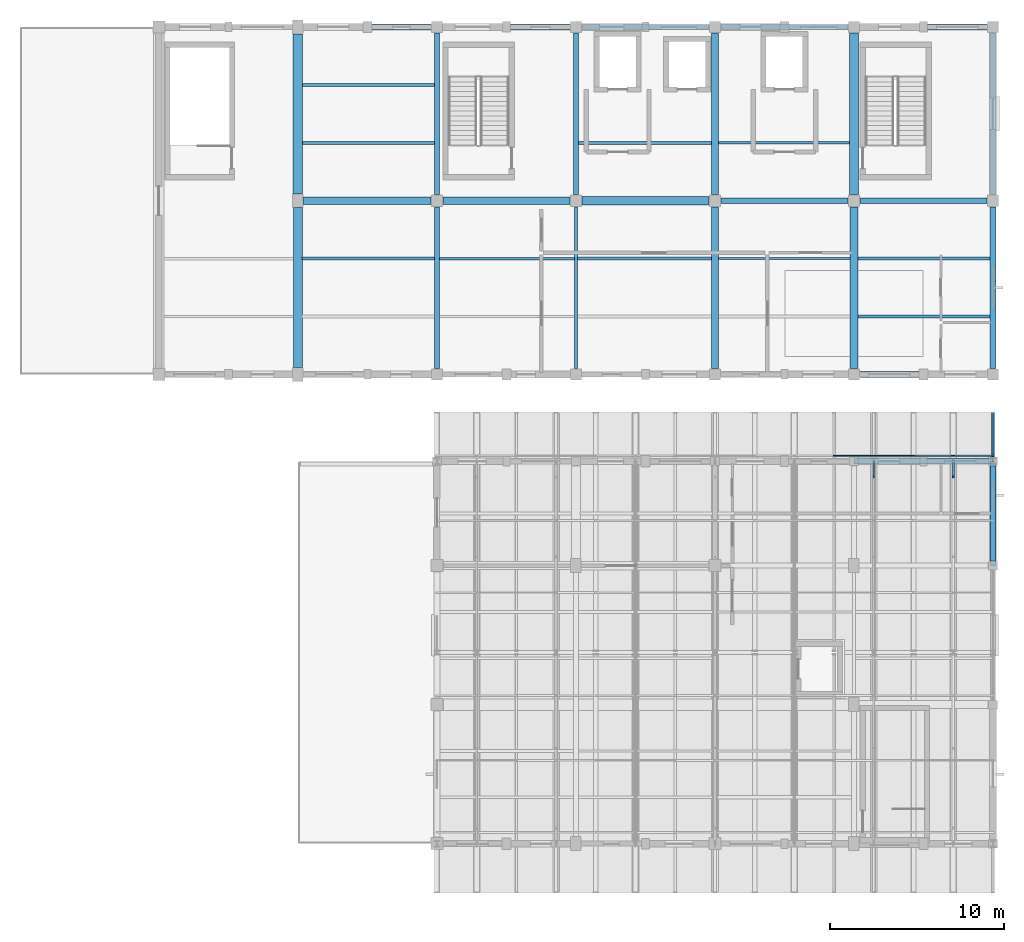
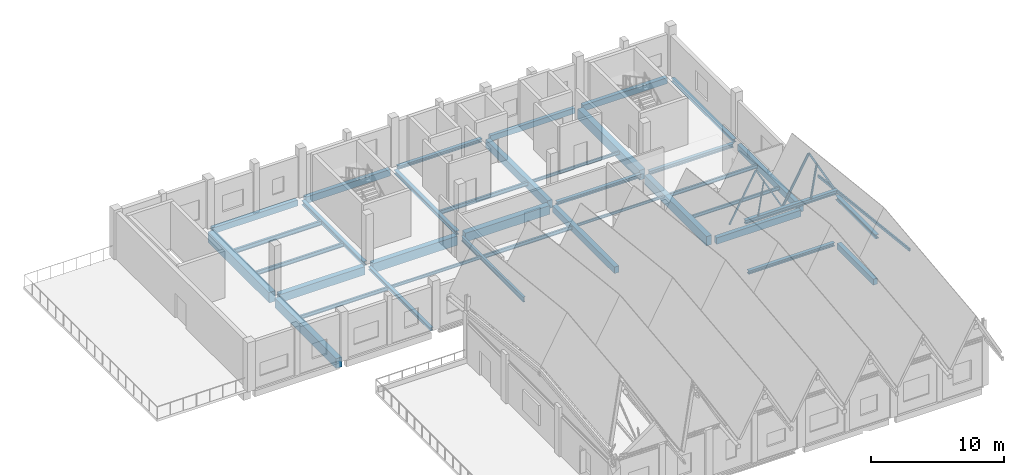
# One storey, part 22 of 48: 38 beams, 6 members.
"""IFC4 building model written with IfcOpenShell, lengths in metres."""

from ifc_helpers import new_model, si_unit, direction, frame, origin, origin_2d, place, context, subcontext, project, spatial, rectangle, hollow_rectangle, i_section, extrude, material, material_profile, profile_set, type_object, element, save


model = new_model("IFC4")

# Units and contexts
model_context = context("Model", 3, precision=1e-05, world=origin(), true_north=direction((0.0, 1.0)))
body_context = subcontext(model_context, "Body", "Model", "MODEL_VIEW")
ifc_project = project(units=[si_unit("LENGTHUNIT", "METRE"), si_unit("AREAUNIT", "SQUARE_METRE"), si_unit("VOLUMEUNIT", "CUBIC_METRE"), si_unit("PLANEANGLEUNIT", "RADIAN"), si_unit("MASSUNIT", "GRAM", prefix="KILO")], contexts=[model_context])

# Site, building, storey
site_placement = place(None, origin())
site = spatial("IfcSite", under=ifc_project, at=site_placement, CompositionType="ELEMENT")
building_placement = place(site_placement, origin())
building = spatial("IfcBuilding", under=site, at=building_placement, Name="Luwemba Playhouse", CompositionType="ELEMENT")
storey_placement = place(building_placement, frame((0.0, 0.0, 13.800048828125)))
storey = spatial("IfcBuildingStorey", under=building, at=storey_placement, Name="L03", CompositionType="ELEMENT", Elevation=13.800048828125)

# Beams
ifc_material_1 = material(Name="Concrete C40/50", Category="concrete")
ifc_material_profile_1 = material_profile(ifc_material_1, rectangle(XDim=0.39990234375, YDim=0.60009765625, at=origin_2d()))
ifc_profile_set_1 = profile_set([ifc_material_profile_1], Name="Concrete C40/50")
beam_type_1 = type_object("IfcBeamType", Name="BM-RB01", PredefinedType="BEAM", material=ifc_profile_set_1)
beam_1_placement = place(storey_placement, frame((156.0, 95.35009765625, -0.530029296875), z_axis=(0.0, 1.0, 0.0), x_axis=(-1.0, 0.0, 0.0)))
element("IfcBeam", 1, at=beam_1_placement, inside=storey, type_object=beam_type_1, Name="L03 transverse girder 0909", PredefinedType="BEAM", context=body_context, shape_type="SweptSolid", body=[
    extrude(rectangle(XDim=0.39990234375, YDim=0.60009765625, at=origin_2d()), origin(), (0.0, 0.0, 1.0), 9.2998046875),
])
ifc_material_profile_2 = material_profile(ifc_material_1, rectangle(XDim=0.39990234375, YDim=0.75, at=origin_2d()))
ifc_profile_set_2 = profile_set([ifc_material_profile_2], Name="Concrete C40/50")
beam_type_2 = type_object("IfcBeamType", Name="BM-RB03", PredefinedType="BEAM", material=ifc_profile_set_2)
beam_2_placement = place(storey_placement, frame((156.0, 105.35009765625, -0.60498046875), z_axis=(0.0, 1.0, 0.0), x_axis=(-1.0, 0.0, 0.0)))
element("IfcBeam", 2, at=beam_2_placement, inside=storey, type_object=beam_type_2, Name="L03 transverse girder 0910", PredefinedType="BEAM", context=body_context, shape_type="SweptSolid", body=[
    extrude(rectangle(XDim=0.39990234375, YDim=0.75, at=origin_2d()), origin(), (0.0, 0.0, 1.0), 9.2998046875),
])
ifc_material_profile_3 = material_profile(ifc_material_1, rectangle(XDim=0.449951171875, YDim=0.75, at=origin_2d()))
ifc_profile_set_3 = profile_set([ifc_material_profile_3], Name="Concrete C40/50")
beam_type_3 = type_object("IfcBeamType", Name="BM-RB04", PredefinedType="BEAM", material=ifc_profile_set_3)
beam_3_placement = place(storey_placement, frame((132.300048828125, 105.0, -0.60498046875), z_axis=(1.0, 0.0, 0.0), x_axis=(0.0, 1.0, 0.0)))
element("IfcBeam", 3, at=beam_3_placement, inside=storey, type_object=beam_type_3, Name="L03 grid girder 0891", PredefinedType="BEAM", context=body_context, shape_type="SweptSolid", body=[
    extrude(rectangle(XDim=0.449951171875, YDim=0.75, at=origin_2d()), origin(), (0.0, 0.0, 1.0), 7.349853515625),
])
ifc_material_profile_4 = material_profile(ifc_material_1, rectangle(XDim=0.449951171875, YDim=0.85009765625, at=origin_2d()))
ifc_profile_set_4 = profile_set([ifc_material_profile_4], Name="Concrete C40/50")
beam_type_4 = type_object("IfcBeamType", Name="BM-RB05", PredefinedType="BEAM", material=ifc_profile_set_4)
beam_4_placement = place(storey_placement, frame((140.35009765625, 105.0, -0.655029296875), z_axis=(1.0, 0.0, 0.0), x_axis=(0.0, 1.0, 0.0)))
element("IfcBeam", 4, at=beam_4_placement, inside=storey, type_object=beam_type_4, Name="L03 grid girder 0892", PredefinedType="BEAM", context=body_context, shape_type="SweptSolid", body=[
    extrude(rectangle(XDim=0.449951171875, YDim=0.85009765625, at=origin_2d()), origin(), (0.0, 0.0, 1.0), 7.2998046875),
])
beam_5_placement = place(storey_placement, frame((164.0, 95.35009765625, -0.655029296875), z_axis=(0.0, 1.0, 0.0), x_axis=(-1.0, 0.0, 0.0)))
element("IfcBeam", 5, at=beam_5_placement, inside=storey, type_object=beam_type_4, Name="L03 transverse girder 0911", PredefinedType="BEAM", context=body_context, shape_type="SweptSolid", body=[
    extrude(rectangle(XDim=0.449951171875, YDim=0.85009765625, at=origin_2d()), origin(), (0.0, 0.0, 1.0), 9.2998046875),
])
ifc_material_profile_5 = material_profile(ifc_material_1, rectangle(XDim=0.5, YDim=0.800048828125, at=origin_2d()))
ifc_profile_set_5 = profile_set([ifc_material_profile_5], Name="Concrete C40/50")
beam_type_5 = type_object("IfcBeamType", Name="BM-RB06", PredefinedType="BEAM", material=ifc_profile_set_5)
beam_6_placement = place(storey_placement, frame((148.35009765625, 105.0, -0.630126953125), z_axis=(1.0, 0.0, 0.0), x_axis=(0.0, 1.0, 0.0)))
element("IfcBeam", 6, at=beam_6_placement, inside=storey, type_object=beam_type_5, Name="L03 grid girder 0893", PredefinedType="BEAM", context=body_context, shape_type="SweptSolid", body=[
    extrude(rectangle(XDim=0.5, YDim=0.800048828125, at=origin_2d()), origin(), (0.0, 0.0, 1.0), 7.2998046875),
])
ifc_material_profile_6 = material_profile(ifc_material_1, rectangle(XDim=0.5, YDim=0.89990234375, at=origin_2d()))
ifc_profile_set_6 = profile_set([ifc_material_profile_6], Name="Concrete C40/50")
beam_type_6 = type_object("IfcBeamType", Name="BM-RB07", PredefinedType="BEAM", material=ifc_profile_set_6)
beam_7_placement = place(storey_placement, frame((132.0, 95.39990234375, -0.679931640625), z_axis=(0.0, 1.0, 0.0), x_axis=(-1.0, 0.0, 0.0)))
element("IfcBeam", 7, at=beam_7_placement, inside=storey, type_object=beam_type_6, Name="L03 transverse girder 0903", PredefinedType="BEAM", context=body_context, shape_type="SweptSolid", body=[
    extrude(rectangle(XDim=0.5, YDim=0.89990234375, at=origin_2d()), origin(), (0.0, 0.0, 1.0), 9.2001953125),
])
beam_8_placement = place(storey_placement, frame((164.0, 105.35009765625, -0.679931640625), z_axis=(0.0, 1.0, 0.0), x_axis=(-1.0, 0.0, 0.0)))
element("IfcBeam", 8, at=beam_8_placement, inside=storey, type_object=beam_type_6, Name="L03 transverse girder 0912", PredefinedType="BEAM", context=body_context, shape_type="SweptSolid", body=[
    extrude(rectangle(XDim=0.5, YDim=0.89990234375, at=origin_2d()), origin(), (0.0, 0.0, 1.0), 9.2998046875),
])
ifc_material_profile_7 = material_profile(ifc_material_1, rectangle(XDim=0.550048828125, YDim=0.949951171875, at=origin_2d()))
ifc_profile_set_7 = profile_set([ifc_material_profile_7], Name="Concrete C40/50")
beam_type_7 = type_object("IfcBeamType", Name="BM-RB08", PredefinedType="BEAM", material=ifc_profile_set_7)
beam_9_placement = place(storey_placement, frame((132.0, 105.39990234375, -0.705078125), z_axis=(0.0, 1.0, 0.0), x_axis=(-1.0, 0.0, 0.0)))
element("IfcBeam", 9, at=beam_9_placement, inside=storey, type_object=beam_type_7, Name="L03 transverse girder 0904", PredefinedType="BEAM", context=body_context, shape_type="SweptSolid", body=[
    extrude(rectangle(XDim=0.550048828125, YDim=0.949951171875, at=origin_2d()), origin(), (0.0, 0.0, 1.0), 9.2001953125),
])
ifc_material_2 = material(Name="Steel S355", Category="steel")
ifc_material_profile_8 = material_profile(ifc_material_2, hollow_rectangle(XDim=0.14990234375, YDim=0.25, WallThickness=0.010009765625, InnerFilletRadius=0.014892578125, OuterFilletRadius=0.02490234375, at=origin_2d()))
ifc_profile_set_8 = profile_set([ifc_material_profile_8], Name="Steel S355")
beam_type_8 = type_object("IfcBeamType", Name="BM-RTG1", PredefinedType="USERDEFINED", material=ifc_profile_set_8)
beam_10_placement = place(storey_placement, frame((172.0, 79.110107421875, 5.536376953125), z_axis=(0.0, 0.99376734367, -0.111474062697), x_axis=(-1.0, 0.0, 0.0)))
element("IfcBeam", 10, at=beam_10_placement, inside=storey, type_object=beam_type_8, Name="ROOF TRUSS valley girder 0241", ObjectType="ROOF TRUSS", PredefinedType="USERDEFINED", context=body_context, shape_type="SweptSolid", body=[
    extrude(hollow_rectangle(XDim=0.14990234375, YDim=0.25, WallThickness=0.010009765625, InnerFilletRadius=0.014892578125, OuterFilletRadius=0.02490234375, at=origin_2d()), origin(), (0.0, 0.0, 1.0), 13.77587890625),
])
ifc_material_profile_9 = material_profile(ifc_material_2, i_section(OverallWidth=0.280029296875, OverallDepth=0.27001953125, WebThickness=0.008056640625, FlangeThickness=0.012939453125, FilletRadius=0.02392578125, at=origin_2d()))
ifc_profile_set_9 = profile_set([ifc_material_profile_9], Name="Steel S355")
beam_type_9 = type_object("IfcBeamType", Name="BM-SB02", PredefinedType="BEAM", material=ifc_profile_set_9)
beam_11_placement = place(storey_placement, frame((140.0, 95.35009765625, -0.364990234375), z_axis=(0.0, 1.0, 0.0), x_axis=(-1.0, 0.0, 0.0)))
element("IfcBeam", 11, at=beam_11_placement, inside=storey, type_object=beam_type_9, Name="L03 transverse girder 0905", PredefinedType="BEAM", context=body_context, shape_type="SweptSolid", body=[
    extrude(i_section(OverallWidth=0.280029296875, OverallDepth=0.27001953125, WebThickness=0.008056640625, FlangeThickness=0.012939453125, FilletRadius=0.02392578125, at=origin_2d()), origin(), (0.0, 0.0, 1.0), 9.2998046875),
])
ifc_material_profile_10 = material_profile(ifc_material_2, i_section(OverallWidth=0.300048828125, OverallDepth=0.2900390625, WebThickness=0.008544921875, FlangeThickness=0.013916015625, FilletRadius=0.027099609375, at=origin_2d()))
ifc_profile_set_10 = profile_set([ifc_material_profile_10], Name="Steel S355")
beam_type_10 = type_object("IfcBeamType", Name="BM-SB03", PredefinedType="BEAM", material=ifc_profile_set_10)
beam_12_placement = place(storey_placement, frame((156.35009765625, 105.0, -0.375), z_axis=(1.0, 0.0, 0.0), x_axis=(0.0, 1.0, 0.0)))
element("IfcBeam", 12, at=beam_12_placement, inside=storey, type_object=beam_type_10, Name="L03 grid girder 0894", PredefinedType="BEAM", context=body_context, shape_type="SweptSolid", body=[
    extrude(i_section(OverallWidth=0.300048828125, OverallDepth=0.2900390625, WebThickness=0.008544921875, FlangeThickness=0.013916015625, FilletRadius=0.027099609375, at=origin_2d()), origin(), (0.0, 0.0, 1.0), 7.2998046875),
])
ifc_material_profile_11 = material_profile(ifc_material_2, i_section(OverallWidth=0.300048828125, OverallDepth=0.330078125, WebThickness=0.009521484375, FlangeThickness=0.0166015625, FilletRadius=0.027099609375, at=origin_2d()))
ifc_profile_set_11 = profile_set([ifc_material_profile_11], Name="Steel S355")
beam_type_11 = type_object("IfcBeamType", Name="BM-SB04", PredefinedType="BEAM", material=ifc_profile_set_11)
beam_13_placement = place(storey_placement, frame((164.35009765625, 105.0, -0.39501953125), z_axis=(1.0, 0.0, 0.0), x_axis=(0.0, 1.0, 0.0)))
element("IfcBeam", 13, at=beam_13_placement, inside=storey, type_object=beam_type_11, Name="L03 grid girder 0895", PredefinedType="BEAM", context=body_context, shape_type="SweptSolid", body=[
    extrude(i_section(OverallWidth=0.300048828125, OverallDepth=0.330078125, WebThickness=0.009521484375, FlangeThickness=0.0166015625, FilletRadius=0.027099609375, at=origin_2d()), origin(), (0.0, 0.0, 1.0), 7.2998046875),
])
ifc_material_profile_12 = material_profile(ifc_material_2, i_section(OverallWidth=0.300048828125, OverallDepth=0.389892578125, WebThickness=0.010986328125, FlangeThickness=0.01904296875, FilletRadius=0.027099609375, at=origin_2d()))
ifc_profile_set_12 = profile_set([ifc_material_profile_12], Name="Steel S355")
beam_type_12 = type_object("IfcBeamType", Name="BM-SB05", PredefinedType="BEAM", material=ifc_profile_set_12)
beam_14_placement = place(storey_placement, frame((140.0, 105.35009765625, -0.425048828125), z_axis=(0.0, 1.0, 0.0), x_axis=(-1.0, 0.0, 0.0)))
element("IfcBeam", 14, at=beam_14_placement, inside=storey, type_object=beam_type_12, Name="L03 transverse girder 0906", PredefinedType="BEAM", context=body_context, shape_type="SweptSolid", body=[
    extrude(i_section(OverallWidth=0.300048828125, OverallDepth=0.389892578125, WebThickness=0.010986328125, FlangeThickness=0.01904296875, FilletRadius=0.027099609375, at=origin_2d()), origin(), (0.0, 0.0, 1.0), 9.2998046875),
])
ifc_material_profile_13 = material_profile(ifc_material_2, i_section(OverallWidth=0.18994140625, OverallDepth=0.449951171875, WebThickness=0.009521484375, FlangeThickness=0.0146484375, FilletRadius=0.02099609375, at=origin_2d()))
ifc_profile_set_13 = profile_set([ifc_material_profile_13], Name="Steel S355")
beam_type_13 = type_object("IfcBeamType", Name="BM-SB06", PredefinedType="BEAM", material=ifc_profile_set_13)
beam_15_placement = place(storey_placement, frame((148.0, 95.35009765625, -0.455078125), z_axis=(0.0, 1.0, 0.0), x_axis=(-1.0, 0.0, 0.0)))
element("IfcBeam", 15, at=beam_15_placement, inside=storey, type_object=beam_type_13, Name="L03 transverse girder 0907", PredefinedType="BEAM", context=body_context, shape_type="SweptSolid", body=[
    extrude(i_section(OverallWidth=0.18994140625, OverallDepth=0.449951171875, WebThickness=0.009521484375, FlangeThickness=0.0146484375, FilletRadius=0.02099609375, at=origin_2d()), origin(), (0.0, 0.0, 1.0), 9.2998046875),
])
ifc_material_profile_14 = material_profile(ifc_material_2, i_section(OverallWidth=0.300048828125, OverallDepth=0.360107421875, WebThickness=0.012451171875, FlangeThickness=0.0224609375, FilletRadius=0.027099609375, at=origin_2d()))
ifc_profile_set_14 = profile_set([ifc_material_profile_14], Name="Steel S355")
beam_type_14 = type_object("IfcBeamType", Name="BM-SB09", PredefinedType="BEAM", material=ifc_profile_set_14)
beam_16_placement = place(storey_placement, frame((148.0, 105.35009765625, -0.41015625), z_axis=(0.0, 1.0, 0.0), x_axis=(-1.0, 0.0, 0.0)))
element("IfcBeam", 16, at=beam_16_placement, inside=storey, type_object=beam_type_14, Name="L03 transverse girder 0908", PredefinedType="BEAM", context=body_context, shape_type="SweptSolid", body=[
    extrude(i_section(OverallWidth=0.300048828125, OverallDepth=0.360107421875, WebThickness=0.012451171875, FlangeThickness=0.0224609375, FilletRadius=0.027099609375, at=origin_2d()), origin(), (0.0, 0.0, 1.0), 9.2998046875),
])
beam_17_placement = place(storey_placement, frame((164.0, 90.0, 4.320068359375), z_axis=(1.0, 0.0, 0.0), x_axis=(0.0, 1.0, 0.0)))
element("IfcBeam", 17, at=beam_17_placement, inside=storey, type_object=beam_type_14, Name="RF-V4 eave ring beam 0202", PredefinedType="BEAM", context=body_context, shape_type="SweptSolid", body=[
    extrude(i_section(OverallWidth=0.300048828125, OverallDepth=0.360107421875, WebThickness=0.012451171875, FlangeThickness=0.0224609375, FilletRadius=0.027099609375, at=origin_2d()), origin(), (0.0, 0.0, 1.0), 8.0),
])
beam_18_placement = place(storey_placement, frame((172.0, 84.0, 3.780029296875), z_axis=(0.0, 1.0, 0.0), x_axis=(-1.0, 0.0, 0.0)))
element("IfcBeam", 18, at=beam_18_placement, inside=storey, type_object=beam_type_14, Name="RF-V4 gable ring beam 0208", PredefinedType="BEAM", context=body_context, shape_type="SweptSolid", body=[
    extrude(i_section(OverallWidth=0.300048828125, OverallDepth=0.360107421875, WebThickness=0.012451171875, FlangeThickness=0.0224609375, FilletRadius=0.027099609375, at=origin_2d()), origin(), (0.0, 0.0, 1.0), 6.0),
])
ifc_material_profile_15 = material_profile(ifc_material_2, i_section(OverallWidth=0.1201171875, OverallDepth=0.239990234375, WebThickness=0.006103515625, FlangeThickness=0.009765625, FilletRadius=0.014892578125, at=origin_2d()))
ifc_profile_set_15 = profile_set([ifc_material_profile_15], Name="Steel S355")
beam_type_15 = type_object("IfcBeamType", Name="BM-SJ03", PredefinedType="JOIST", material=ifc_profile_set_15)
beam_19_placement = place(storey_placement, frame((156.196044921875, 101.666748046875, -0.35009765625), z_axis=(1.0, 0.0, 0.0), x_axis=(0.0, 1.0, 0.0)))
element("IfcBeam", 19, at=beam_19_placement, inside=storey, type_object=beam_type_15, Name="L03 composite floor joist 0518", PredefinedType="JOIST", context=body_context, shape_type="SweptSolid", body=[
    extrude(i_section(OverallWidth=0.1201171875, OverallDepth=0.239990234375, WebThickness=0.006103515625, FlangeThickness=0.009765625, FilletRadius=0.014892578125, at=origin_2d()), origin(), (0.0, 0.0, 1.0), 7.5830078125),
])
ifc_material_profile_16 = material_profile(ifc_material_2, i_section(OverallWidth=0.135009765625, OverallDepth=0.27001953125, WebThickness=0.006591796875, FlangeThickness=0.01025390625, FilletRadius=0.014892578125, at=origin_2d()))
ifc_profile_set_16 = profile_set([ifc_material_profile_16], Name="Steel S355")
beam_type_16 = type_object("IfcBeamType", Name="BM-SJ04", PredefinedType="JOIST", material=ifc_profile_set_16)
beam_20_placement = place(storey_placement, frame((140.135986328125, 101.666748046875, -0.364990234375), z_axis=(1.0, 0.0, 0.0), x_axis=(0.0, 1.0, 0.0)))
element("IfcBeam", 20, at=beam_20_placement, inside=storey, type_object=beam_type_16, Name="L03 composite floor joist 0513", PredefinedType="JOIST", context=body_context, shape_type="SweptSolid", body=[
    extrude(i_section(OverallWidth=0.135009765625, OverallDepth=0.27001953125, WebThickness=0.006591796875, FlangeThickness=0.01025390625, FilletRadius=0.014892578125, at=origin_2d()), origin(), (0.0, 0.0, 1.0), 7.77294921875),
])
beam_21_placement = place(storey_placement, frame((156.196044921875, 108.333251953125, -0.364990234375), z_axis=(1.0, 0.0, 0.0), x_axis=(0.0, 1.0, 0.0)))
element("IfcBeam", 21, at=beam_21_placement, inside=storey, type_object=beam_type_16, Name="L03 composite floor joist 0519", PredefinedType="JOIST", context=body_context, shape_type="SweptSolid", body=[
    extrude(i_section(OverallWidth=0.135009765625, OverallDepth=0.27001953125, WebThickness=0.006591796875, FlangeThickness=0.01025390625, FilletRadius=0.014892578125, at=origin_2d()), origin(), (0.0, 0.0, 1.0), 7.557861328125),
])
ifc_material_profile_17 = material_profile(ifc_material_2, i_section(OverallWidth=0.14990234375, OverallDepth=0.300048828125, WebThickness=0.007080078125, FlangeThickness=0.0107421875, FilletRadius=0.014892578125, at=origin_2d()))
ifc_profile_set_17 = profile_set([ifc_material_profile_17], Name="Steel S355")
beam_type_17 = type_object("IfcBeamType", Name="BM-SJ05", PredefinedType="JOIST", material=ifc_profile_set_17)
beam_22_placement = place(storey_placement, frame((164.220947265625, 98.333251953125, -0.380126953125), z_axis=(1.0, 0.0, 0.0), x_axis=(0.0, 1.0, 0.0)))
element("IfcBeam", 22, at=beam_22_placement, inside=storey, type_object=beam_type_17, Name="L03 composite floor joist 0520", PredefinedType="JOIST", context=body_context, shape_type="SweptSolid", body=[
    extrude(i_section(OverallWidth=0.14990234375, OverallDepth=0.300048828125, WebThickness=0.007080078125, FlangeThickness=0.0107421875, FilletRadius=0.014892578125, at=origin_2d()), origin(), (0.0, 0.0, 1.0), 7.608154296875),
])
ifc_material_profile_18 = material_profile(ifc_material_2, i_section(OverallWidth=0.159912109375, OverallDepth=0.330078125, WebThickness=0.007568359375, FlangeThickness=0.011474609375, FilletRadius=0.01806640625, at=origin_2d()))
ifc_profile_set_18 = profile_set([ifc_material_profile_18], Name="Steel S355")
beam_type_18 = type_object("IfcBeamType", Name="BM-SJ06", PredefinedType="JOIST", material=ifc_profile_set_18)
beam_23_placement = place(storey_placement, frame((132.24609375, 101.666748046875, -0.39501953125), z_axis=(1.0, 0.0, 0.0), x_axis=(0.0, 1.0, 0.0)))
element("IfcBeam", 23, at=beam_23_placement, inside=storey, type_object=beam_type_18, Name="L03 composite floor joist 0509", PredefinedType="JOIST", context=body_context, shape_type="SweptSolid", body=[
    extrude(i_section(OverallWidth=0.159912109375, OverallDepth=0.330078125, WebThickness=0.007568359375, FlangeThickness=0.011474609375, FilletRadius=0.01806640625, at=origin_2d()), origin(), (0.0, 0.0, 1.0), 7.617919921875),
])
beam_24_placement = place(storey_placement, frame((148.091064453125, 101.666748046875, -0.39501953125), z_axis=(1.0, 0.0, 0.0), x_axis=(0.0, 1.0, 0.0)))
element("IfcBeam", 24, at=beam_24_placement, inside=storey, type_object=beam_type_18, Name="L03 composite floor joist 0515", PredefinedType="JOIST", context=body_context, shape_type="SweptSolid", body=[
    extrude(i_section(OverallWidth=0.159912109375, OverallDepth=0.330078125, WebThickness=0.007568359375, FlangeThickness=0.011474609375, FilletRadius=0.01806640625, at=origin_2d()), origin(), (0.0, 0.0, 1.0), 7.712890625),
])
beam_25_placement = place(storey_placement, frame((164.220947265625, 101.666748046875, -0.39501953125), z_axis=(1.0, 0.0, 0.0), x_axis=(0.0, 1.0, 0.0)))
element("IfcBeam", 25, at=beam_25_placement, inside=storey, type_object=beam_type_18, Name="L03 composite floor joist 0521", PredefinedType="JOIST", context=body_context, shape_type="SweptSolid", body=[
    extrude(i_section(OverallWidth=0.159912109375, OverallDepth=0.330078125, WebThickness=0.007568359375, FlangeThickness=0.011474609375, FilletRadius=0.01806640625, at=origin_2d()), origin(), (0.0, 0.0, 1.0), 7.608154296875),
])
ifc_material_profile_19 = material_profile(ifc_material_2, i_section(OverallWidth=0.169921875, OverallDepth=0.360107421875, WebThickness=0.008056640625, FlangeThickness=0.0126953125, FilletRadius=0.01806640625, at=origin_2d()))
ifc_profile_set_19 = profile_set([ifc_material_profile_19], Name="Steel S355")
beam_type_19 = type_object("IfcBeamType", Name="BM-SJ07", PredefinedType="JOIST", material=ifc_profile_set_19)
beam_26_placement = place(storey_placement, frame((132.27099609375, 108.333251953125, -0.41015625), z_axis=(1.0, 0.0, 0.0), x_axis=(0.0, 1.0, 0.0)))
element("IfcBeam", 26, at=beam_26_placement, inside=storey, type_object=beam_type_19, Name="L03 composite floor joist 0510", PredefinedType="JOIST", context=body_context, shape_type="SweptSolid", body=[
    extrude(i_section(OverallWidth=0.169921875, OverallDepth=0.360107421875, WebThickness=0.008056640625, FlangeThickness=0.0126953125, FilletRadius=0.01806640625, at=origin_2d()), origin(), (0.0, 0.0, 1.0), 7.5830078125),
])
beam_27_placement = place(storey_placement, frame((148.14599609375, 108.333251953125, -0.41015625), z_axis=(1.0, 0.0, 0.0), x_axis=(0.0, 1.0, 0.0)))
element("IfcBeam", 27, at=beam_27_placement, inside=storey, type_object=beam_type_19, Name="L03 composite floor joist 0516", PredefinedType="JOIST", context=body_context, shape_type="SweptSolid", body=[
    extrude(i_section(OverallWidth=0.169921875, OverallDepth=0.360107421875, WebThickness=0.008056640625, FlangeThickness=0.0126953125, FilletRadius=0.01806640625, at=origin_2d()), origin(), (0.0, 0.0, 1.0), 7.657958984375),
])
ifc_material_profile_20 = material_profile(ifc_material_2, i_section(OverallWidth=0.179931640625, OverallDepth=0.39990234375, WebThickness=0.008544921875, FlangeThickness=0.013427734375, FilletRadius=0.02099609375, at=origin_2d()))
ifc_profile_set_20 = profile_set([ifc_material_profile_20], Name="Steel S355")
beam_type_20 = type_object("IfcBeamType", Name="BM-SJ08", PredefinedType="JOIST", material=ifc_profile_set_20)
beam_28_placement = place(storey_placement, frame((132.27099609375, 111.666748046875, -0.429931640625), z_axis=(1.0, 0.0, 0.0), x_axis=(0.0, 1.0, 0.0)))
element("IfcBeam", 28, at=beam_28_placement, inside=storey, type_object=beam_type_20, Name="L03 composite floor joist 0511", PredefinedType="JOIST", context=body_context, shape_type="SweptSolid", body=[
    extrude(i_section(OverallWidth=0.179931640625, OverallDepth=0.39990234375, WebThickness=0.008544921875, FlangeThickness=0.013427734375, FilletRadius=0.02099609375, at=origin_2d()), origin(), (0.0, 0.0, 1.0), 7.5830078125),
])
ifc_material_profile_21 = material_profile(ifc_material_1, rectangle(XDim=0.300048828125, YDim=0.5, at=origin_2d()))
ifc_profile_set_21 = profile_set([ifc_material_profile_21], Name="Concrete C40/50")
beam_type_21 = type_object("IfcBeamType", Name="BM-SP1", PredefinedType="SPANDREL", material=ifc_profile_set_21)
beam_29_placement = place(storey_placement, frame((156.35009765625, 115.0, -0.47998046875), z_axis=(1.0, 0.0, 0.0), x_axis=(0.0, 1.0, 0.0)))
element("IfcBeam", 29, at=beam_29_placement, inside=storey, type_object=beam_type_21, Name="L03 grid girder 0900", PredefinedType="SPANDREL", context=body_context, shape_type="SweptSolid", body=[
    extrude(rectangle(XDim=0.300048828125, YDim=0.5, at=origin_2d()), origin(), (0.0, 0.0, 1.0), 7.2998046875),
])
ifc_material_profile_22 = material_profile(ifc_material_1, rectangle(XDim=0.35009765625, YDim=0.550048828125, at=origin_2d()))
ifc_profile_set_22 = profile_set([ifc_material_profile_22], Name="Concrete C40/50")
beam_type_22 = type_object("IfcBeamType", Name="BM-SP2", PredefinedType="SPANDREL", material=ifc_profile_set_22)
beam_30_placement = place(storey_placement, frame((172.0, 84.27490234375, -0.505126953125), z_axis=(0.0, 1.0, 0.0), x_axis=(-1.0, 0.0, 0.0)))
element("IfcBeam", 30, at=beam_30_placement, inside=storey, type_object=beam_type_22, Name="L03 transverse girder 0884", PredefinedType="SPANDREL", context=body_context, shape_type="SweptSolid", body=[
    extrude(rectangle(XDim=0.35009765625, YDim=0.550048828125, at=origin_2d()), origin(), (0.0, 0.0, 1.0), 5.4501953125),
])
beam_31_placement = place(storey_placement, frame((132.300048828125, 115.0, -0.505126953125), z_axis=(1.0, 0.0, 0.0), x_axis=(0.0, 1.0, 0.0)))
element("IfcBeam", 31, at=beam_31_placement, inside=storey, type_object=beam_type_22, Name="L03 grid girder 0897", PredefinedType="SPANDREL", context=body_context, shape_type="SweptSolid", body=[
    extrude(rectangle(XDim=0.35009765625, YDim=0.550048828125, at=origin_2d()), origin(), (0.0, 0.0, 1.0), 7.349853515625),
])
beam_32_placement = place(storey_placement, frame((164.35009765625, 115.0, -0.505126953125), z_axis=(1.0, 0.0, 0.0), x_axis=(0.0, 1.0, 0.0)))
element("IfcBeam", 32, at=beam_32_placement, inside=storey, type_object=beam_type_22, Name="L03 grid girder 0901", PredefinedType="SPANDREL", context=body_context, shape_type="SweptSolid", body=[
    extrude(rectangle(XDim=0.35009765625, YDim=0.550048828125, at=origin_2d()), origin(), (0.0, 0.0, 1.0), 7.2998046875),
])
ifc_material_profile_23 = material_profile(ifc_material_1, rectangle(XDim=0.35009765625, YDim=0.60009765625, at=origin_2d()))
ifc_profile_set_23 = profile_set([ifc_material_profile_23], Name="Concrete C40/50")
beam_type_23 = type_object("IfcBeamType", Name="BM-SP3", PredefinedType="SPANDREL", material=ifc_profile_set_23)
for number, where, z_axis, x_axis, name in (
    (33, (164.35009765625, 95.0, -0.530029296875), (1.0, 0.0, 0.0), (0.0, 1.0, 0.0), "L03 grid girder 0890"),
    (34, (140.35009765625, 115.0, -0.530029296875), (1.0, 0.0, 0.0), (0.0, 1.0, 0.0), "L03 grid girder 0898"),
):
    element("IfcBeam", number, at=place(storey_placement, frame(where, z_axis=z_axis, x_axis=x_axis)), inside=storey, type_object=beam_type_23, Name=name, PredefinedType="SPANDREL", context=body_context, shape_type="SweptSolid", body=[
        extrude(rectangle(XDim=0.35009765625, YDim=0.60009765625, at=origin_2d()), origin(), (0.0, 0.0, 1.0), 7.2998046875),
    ])
beam_33_placement = place(storey_placement, frame((172.0, 95.35009765625, -0.530029296875), z_axis=(0.0, 1.0, 0.0), x_axis=(-1.0, 0.0, 0.0)))
element("IfcBeam", 35, at=beam_33_placement, inside=storey, type_object=beam_type_23, Name="L03 transverse girder 0913", PredefinedType="SPANDREL", context=body_context, shape_type="SweptSolid", body=[
    extrude(rectangle(XDim=0.35009765625, YDim=0.60009765625, at=origin_2d()), origin(), (0.0, 0.0, 1.0), 9.2998046875),
])
ifc_material_profile_24 = material_profile(ifc_material_2, i_section(OverallWidth=0.300048828125, OverallDepth=0.300048828125, WebThickness=0.010986328125, FlangeThickness=0.01904296875, FilletRadius=0.027099609375, at=origin_2d()))
ifc_profile_set_24 = profile_set([ifc_material_profile_24], Name="Steel S355")
beam_type_24 = type_object("IfcBeamType", Name="BM-SSP1", PredefinedType="SPANDREL", material=ifc_profile_set_24)
beam_34_placement = place(storey_placement, frame((164.27490234375, 90.0, -0.380126953125), z_axis=(1.0, 0.0, 0.0), x_axis=(0.0, 1.0, 0.0)))
element("IfcBeam", 36, at=beam_34_placement, inside=storey, type_object=beam_type_24, Name="L03 grid girder 0871", PredefinedType="SPANDREL", context=body_context, shape_type="SweptSolid", body=[
    extrude(i_section(OverallWidth=0.300048828125, OverallDepth=0.300048828125, WebThickness=0.010986328125, FlangeThickness=0.01904296875, FilletRadius=0.027099609375, at=origin_2d()), origin(), (0.0, 0.0, 1.0), 7.4501953125),
])
beam_35_placement = place(storey_placement, frame((148.35009765625, 115.0, -0.380126953125), z_axis=(1.0, 0.0, 0.0), x_axis=(0.0, 1.0, 0.0)))
element("IfcBeam", 37, at=beam_35_placement, inside=storey, type_object=beam_type_24, Name="L03 grid girder 0899", PredefinedType="SPANDREL", context=body_context, shape_type="SweptSolid", body=[
    extrude(i_section(OverallWidth=0.300048828125, OverallDepth=0.300048828125, WebThickness=0.010986328125, FlangeThickness=0.01904296875, FilletRadius=0.027099609375, at=origin_2d()), origin(), (0.0, 0.0, 1.0), 7.2998046875),
])
beam_36_placement = place(storey_placement, frame((172.0, 105.35009765625, -0.380126953125), z_axis=(0.0, 1.0, 0.0), x_axis=(-1.0, 0.0, 0.0)))
element("IfcBeam", 38, at=beam_36_placement, inside=storey, type_object=beam_type_24, Name="L03 transverse girder 0914", PredefinedType="SPANDREL", context=body_context, shape_type="SweptSolid", body=[
    extrude(i_section(OverallWidth=0.300048828125, OverallDepth=0.300048828125, WebThickness=0.010986328125, FlangeThickness=0.01904296875, FilletRadius=0.027099609375, at=origin_2d()), origin(), (0.0, 0.0, 1.0), 9.2998046875),
])

# Members
ifc_material_profile_25 = material_profile(ifc_material_2, hollow_rectangle(XDim=0.10009765625, YDim=0.10009765625, WallThickness=0.00634765625, InnerFilletRadius=0.009521484375, OuterFilletRadius=0.015869140625, at=origin_2d()))
ifc_profile_set_25 = profile_set([ifc_material_profile_25], Name="Steel S355")
member_type_1 = type_object("IfcMemberType", Name="MEM-MB05", PredefinedType="BRACE", material=ifc_profile_set_25)
member_1_placement = place(storey_placement, frame((165.142822265625, 90.0, 4.39990234375), z_axis=(0.0, -0.225283539327, 0.974293244823), x_axis=(1.0, 0.0, 0.0)))
element("IfcMember", 39, at=member_1_placement, inside=storey, type_object=member_type_1, Name="ROOF TRUSS eave knee strut 0055", PredefinedType="BRACE", context=body_context, shape_type="SweptSolid", body=[
    extrude(hollow_rectangle(XDim=0.10009765625, YDim=0.10009765625, WallThickness=0.00634765625, InnerFilletRadius=0.009521484375, OuterFilletRadius=0.015869140625, at=origin_2d()), origin(), (0.0, 0.0, 1.0), 3.99462890625),
])
ifc_material_profile_26 = material_profile(ifc_material_2, hollow_rectangle(XDim=0.139892578125, YDim=0.139892578125, WallThickness=0.008056640625, InnerFilletRadius=0.011962890625, OuterFilletRadius=0.02001953125, at=origin_2d()))
ifc_profile_set_26 = profile_set([ifc_material_profile_26], Name="Steel S355")
member_type_2 = type_object("IfcMemberType", Name="MEM-MB07", PredefinedType="BRACE", material=ifc_profile_set_26)
member_2_placement = place(storey_placement, frame((169.71435546875, 90.0, 4.39990234375), z_axis=(0.0, -0.232347666706, 0.972632799044), x_axis=(1.0, 0.0, 0.0)))
element("IfcMember", 40, at=member_2_placement, inside=storey, type_object=member_type_2, Name="ROOF TRUSS eave knee strut 0057", PredefinedType="BRACE", context=body_context, shape_type="SweptSolid", body=[
    extrude(hollow_rectangle(XDim=0.139892578125, YDim=0.139892578125, WallThickness=0.008056640625, InnerFilletRadius=0.011962890625, OuterFilletRadius=0.02001953125, at=origin_2d()), origin(), (0.0, 0.0, 1.0), 3.873046875),
])
ifc_material_profile_27 = material_profile(ifc_material_2, hollow_rectangle(XDim=0.080078125, YDim=0.1201171875, WallThickness=0.00634765625, InnerFilletRadius=0.009521484375, OuterFilletRadius=0.015869140625, at=origin_2d()))
ifc_profile_set_27 = profile_set([ifc_material_profile_27], Name="Steel S355")
member_type_3 = type_object("IfcMemberType", Name="MEM-MP01", PredefinedType="PURLIN", material=ifc_profile_set_27)
member_3_placement = place(storey_placement, frame((165.142822265625, 90.31591796875, 8.44287109375), z_axis=(0.481021165728, 0.0, -0.876708981431), x_axis=(0.0, 1.0, 0.0)))
element("IfcMember", 41, at=member_3_placement, inside=storey, type_object=member_type_3, Name="Pleated roof purlin 0432", PredefinedType="PURLIN", context=body_context, shape_type="SweptSolid", body=[
    extrude(hollow_rectangle(XDim=0.080078125, YDim=0.1201171875, WallThickness=0.00634765625, InnerFilletRadius=0.009521484375, OuterFilletRadius=0.015869140625, at=origin_2d()), origin(), (0.0, 0.0, 1.0), 4.752197265625),
])
ifc_material_profile_28 = material_profile(ifc_material_2, hollow_rectangle(XDim=0.080078125, YDim=0.159912109375, WallThickness=0.00634765625, InnerFilletRadius=0.009521484375, OuterFilletRadius=0.015869140625, at=origin_2d()))
ifc_profile_set_28 = profile_set([ifc_material_profile_28], Name="Steel S355")
member_type_4 = type_object("IfcMemberType", Name="MEM-MP03", PredefinedType="PURLIN", material=ifc_profile_set_28)
member_4_placement = place(storey_placement, frame((162.857177734375, 90.31591796875, 4.256591796875), z_axis=(0.480981676724, 0.0, 0.876730646582), x_axis=(0.0, 1.0, 0.0)))
element("IfcMember", 42, at=member_4_placement, inside=storey, type_object=member_type_4, Name="Pleated roof purlin 0426", PredefinedType="PURLIN", context=body_context, shape_type="SweptSolid", body=[
    extrude(hollow_rectangle(XDim=0.080078125, YDim=0.159912109375, WallThickness=0.00634765625, InnerFilletRadius=0.009521484375, OuterFilletRadius=0.015869140625, at=origin_2d()), origin(), (0.0, 0.0, 1.0), 4.751953125),
])
ifc_material_profile_29 = material_profile(ifc_material_2, i_section(OverallWidth=0.08203125, OverallDepth=0.159912109375, WebThickness=0.0048828125, FlangeThickness=0.00732421875, FilletRadius=0.009033203125, at=origin_2d()))
ifc_profile_set_29 = profile_set([ifc_material_profile_29], Name="Steel S355")
member_type_5 = type_object("IfcMemberType", Name="MEM-MP05", PredefinedType="PURLIN", material=ifc_profile_set_29)
member_5_placement = place(storey_placement, frame((169.71435546875, 90.31591796875, 8.4208984375), z_axis=(0.480981676724, 0.0, -0.876730646582), x_axis=(0.0, 1.0, 0.0)))
element("IfcMember", 43, at=member_5_placement, inside=storey, type_object=member_type_5, Name="Pleated roof purlin 0444", PredefinedType="PURLIN", context=body_context, shape_type="SweptSolid", body=[
    extrude(i_section(OverallWidth=0.08203125, OverallDepth=0.159912109375, WebThickness=0.0048828125, FlangeThickness=0.00732421875, FilletRadius=0.009033203125, at=origin_2d()), origin(), (0.0, 0.0, 1.0), 4.751953125),
])
ifc_material_profile_30 = material_profile(ifc_material_2, i_section(OverallWidth=0.10009765625, OverallDepth=0.199951171875, WebThickness=0.005615234375, FlangeThickness=0.008544921875, FilletRadius=0.011962890625, at=origin_2d()))
ifc_profile_set_30 = profile_set([ifc_material_profile_30], Name="Steel S355")
member_type_6 = type_object("IfcMemberType", Name="MEM-MP07", PredefinedType="PURLIN", material=ifc_profile_set_30)
member_6_placement = place(storey_placement, frame((167.4287109375, 90.31591796875, 4.218505859375), z_axis=(0.48100334235, 0.0, 0.876718760292), x_axis=(0.0, 1.0, 0.0)))
element("IfcMember", 44, at=member_6_placement, inside=storey, type_object=member_type_6, Name="Pleated roof purlin 0438", PredefinedType="PURLIN", context=body_context, shape_type="SweptSolid", body=[
    extrude(i_section(OverallWidth=0.10009765625, OverallDepth=0.199951171875, WebThickness=0.005615234375, FlangeThickness=0.008544921875, FilletRadius=0.011962890625, at=origin_2d()), origin(), (0.0, 0.0, 1.0), 4.751708984375),
])

save(model, "model.ifc")
